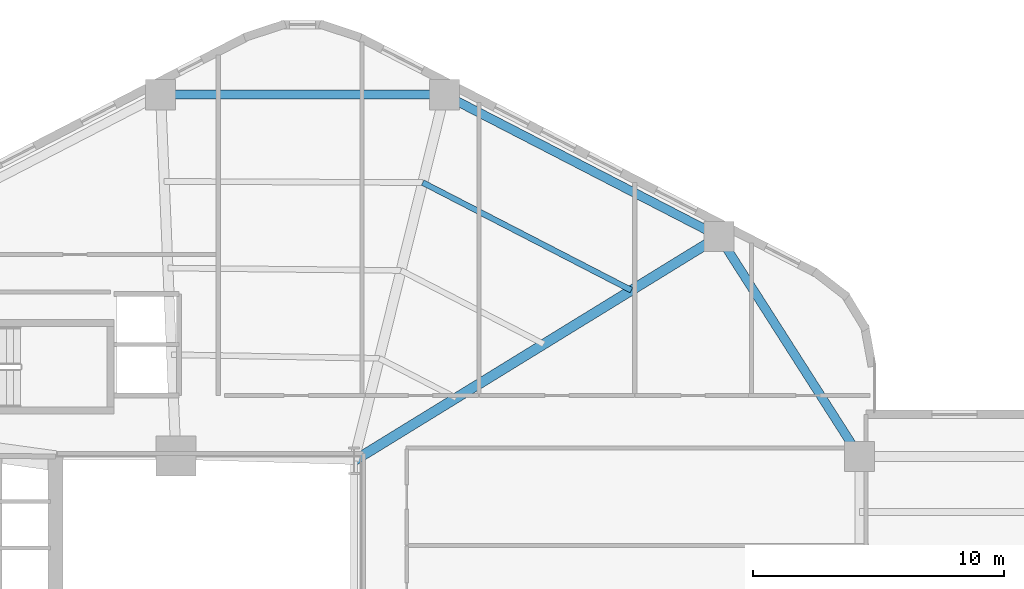
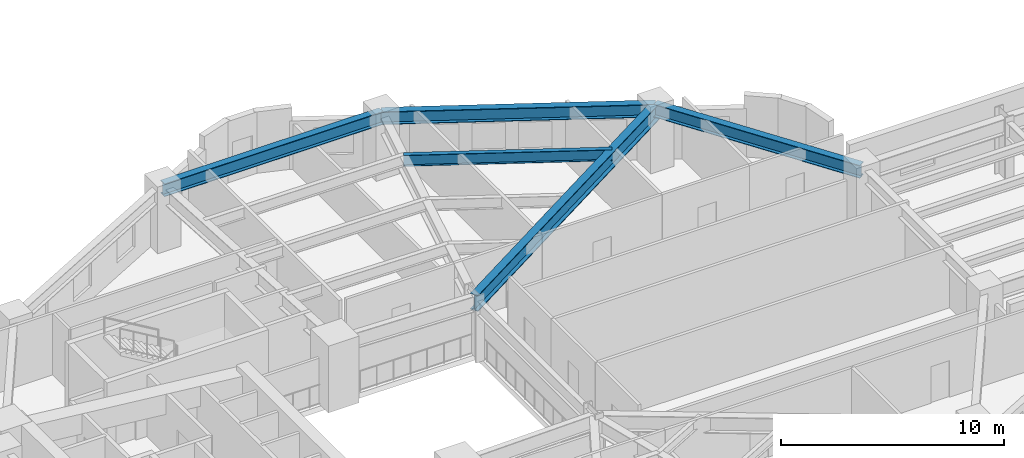
# One storey, part 2 of 10: 5 beams.
"""IFC4 building model written with IfcOpenShell, lengths in metres."""

from ifc_helpers import new_model, si_unit, direction, frame, origin, origin_2d, place, context, subcontext, project, spatial, i_section, extrude, material, material_profile, profile_set, type_object, element, save


model = new_model("IFC4")

# Units and contexts
model_context = context("Model", 3, precision=1e-05, world=origin(), true_north=direction((0.0, 1.0)))
body_context = subcontext(model_context, "Body", "Model", "MODEL_VIEW")
ifc_project = project(units=[si_unit("LENGTHUNIT", "METRE"), si_unit("AREAUNIT", "SQUARE_METRE"), si_unit("VOLUMEUNIT", "CUBIC_METRE"), si_unit("PLANEANGLEUNIT", "RADIAN"), si_unit("MASSUNIT", "GRAM", prefix="KILO"), si_unit("THERMODYNAMICTEMPERATUREUNIT", "KELVIN"), si_unit("POWERUNIT", "WATT")], contexts=[model_context])

# Site, building, storey
site_placement = place(None, origin())
site = spatial("IfcSite", under=ifc_project, at=site_placement, CompositionType="ELEMENT")
building_placement = place(site_placement, origin())
building = spatial("IfcBuilding", under=site, at=building_placement, Name="Skarre Station Tower", CompositionType="ELEMENT")
storey_placement = place(building_placement, frame((0.0, 0.0, 52.550048828125)))
storey = spatial("IfcBuildingStorey", under=building, at=storey_placement, Name="L13", CompositionType="ELEMENT", Elevation=52.550048828125)

# Beams
ifc_material = material(Name="Steel ASTM A992 Grade 50", Category="steel")
ifc_material_profile_1 = material_profile(ifc_material, i_section(OverallWidth=0.40087890625, OverallDepth=0.876953125, WebThickness=0.02197265625, FlangeThickness=0.0400390625, at=origin_2d()), Name="Steel ASTM A992 Grade 50")
ifc_profile_set_1 = profile_set([ifc_material_profile_1], Name="Steel ASTM A992 Grade 50")
beam_type_1 = type_object("IfcBeamType", Name="Steel Beam W33X263", PredefinedType="BEAM", material=ifc_profile_set_1)
beam_1_placement = place(storey_placement, frame((39.449951171875, 29.35009765625, 2.9208984375), z_axis=(0.851925565957, 0.523662897358, 0.0), x_axis=(-0.523662897358, 0.851925565957, 0.0)))
element("IfcBeam", 1, at=beam_1_placement, inside=storey, type_object=beam_type_1, Name="L13 Radial Floor Girder F0C1", PredefinedType="BEAM", context=body_context, shape_type="SweptSolid", body=[
    extrude(i_section(OverallWidth=0.40087890625, OverallDepth=0.876953125, WebThickness=0.02197265625, FlangeThickness=0.0400390625, at=origin_2d()), origin(), (0.0, 0.0, 1.0), 17.08740234375),
])
ifc_material_profile_2 = material_profile(ifc_material, i_section(OverallWidth=0.22802734375, OverallDepth=0.60791015625, WebThickness=0.010986328125, FlangeThickness=0.01708984375, at=origin_2d()), Name="Steel ASTM A992 Grade 50")
ifc_profile_set_2 = profile_set([ifc_material_profile_2], Name="Steel ASTM A992 Grade 50")
beam_type_2 = type_object("IfcBeamType", Name="Steel Joist W24X76", PredefinedType="JOIST", material=ifc_profile_set_2)
beam_2_placement = place(storey_placement, frame((50.512939453125, 36.14990234375, 3.055908203125), z_axis=(-0.888594941555, 0.458692740125, 0.0), x_axis=(-0.458692740125, -0.888594941555, 0.0)))
element("IfcBeam", 2, at=beam_2_placement, inside=storey, type_object=beam_type_2, Name="L13 Secondary Floor Joist 3", PredefinedType="JOIST", context=body_context, shape_type="SweptSolid", body=[
    extrude(i_section(OverallWidth=0.22802734375, OverallDepth=0.60791015625, WebThickness=0.010986328125, FlangeThickness=0.01708984375, at=origin_2d()), origin(), (0.0, 0.0, 1.0), 9.36181640625),
])
ifc_material_profile_3 = material_profile(ifc_material, i_section(OverallWidth=0.35791015625, OverallDepth=0.7060546875, WebThickness=0.01806640625, FlangeThickness=0.030029296875, at=origin_2d()), Name="Steel ASTM A992 Grade 50")
ifc_profile_set_3 = profile_set([ifc_material_profile_3], Name="Steel ASTM A992 Grade 50")
beam_type_3 = type_object("IfcBeamType", Name="Steel Spandrel W27X178", PredefinedType="SPANDREL", material=ifc_profile_set_3)
beam_3_placement = place(storey_placement, frame((54.007080078125, 38.298095703125, 3.0068359375), z_axis=(-0.888658695823, 0.458569212158, 0.0), x_axis=(-0.458569212158, -0.888658695823, 0.0)))
element("IfcBeam", 3, at=beam_3_placement, inside=storey, type_object=beam_type_3, Name="L13 Facet Spandrel Beam 1", PredefinedType="SPANDREL", context=body_context, shape_type="SweptSolid", body=[
    extrude(i_section(OverallWidth=0.35791015625, OverallDepth=0.7060546875, WebThickness=0.01806640625, FlangeThickness=0.030029296875, at=origin_2d()), origin(), (0.0, 0.0, 1.0), 12.318603515625),
])
beam_4_placement = place(storey_placement, frame((43.06005859375, 43.947021484375, 3.0068359375), z_axis=(-1.0, 0.0, 0.0), x_axis=(0.0, -1.0, 0.0)))
element("IfcBeam", 4, at=beam_4_placement, inside=storey, type_object=beam_type_3, Name="L13 Facet Spandrel Beam 2", PredefinedType="SPANDREL", context=body_context, shape_type="SweptSolid", body=[
    extrude(i_section(OverallWidth=0.35791015625, OverallDepth=0.7060546875, WebThickness=0.01806640625, FlangeThickness=0.030029296875, at=origin_2d()), origin(), (0.0, 0.0, 1.0), 11.320068359375),
])
beam_5_placement = place(storey_placement, frame((59.613037109375, 29.52099609375, 3.0068359375), z_axis=(-0.538277829225, 0.842767452246, 0.0), x_axis=(-0.842767452246, -0.538277829225, 0.0)))
element("IfcBeam", 5, at=beam_5_placement, inside=storey, type_object=beam_type_3, Name="L13 Facet Spandrel Beam 12", PredefinedType="SPANDREL", context=body_context, shape_type="SweptSolid", body=[
    extrude(i_section(OverallWidth=0.35791015625, OverallDepth=0.7060546875, WebThickness=0.01806640625, FlangeThickness=0.030029296875, at=origin_2d()), origin(), (0.0, 0.0, 1.0), 10.41455078125),
])

save(model, "model.ifc")
